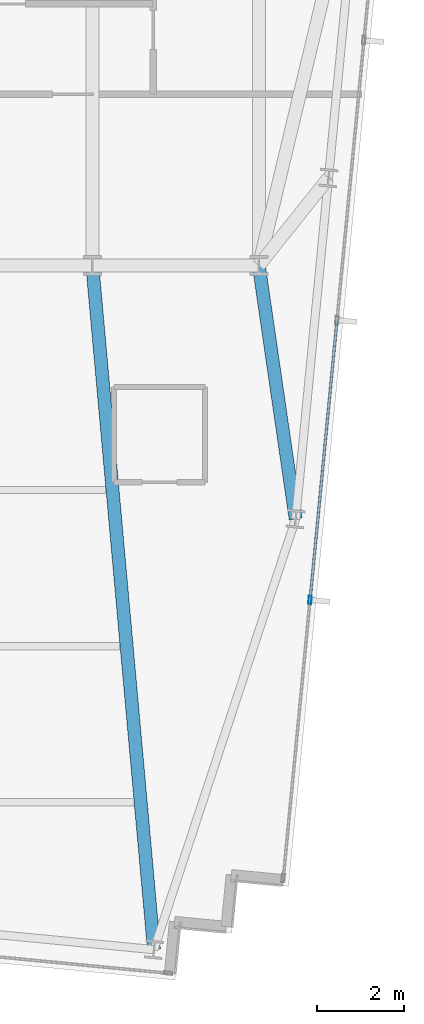
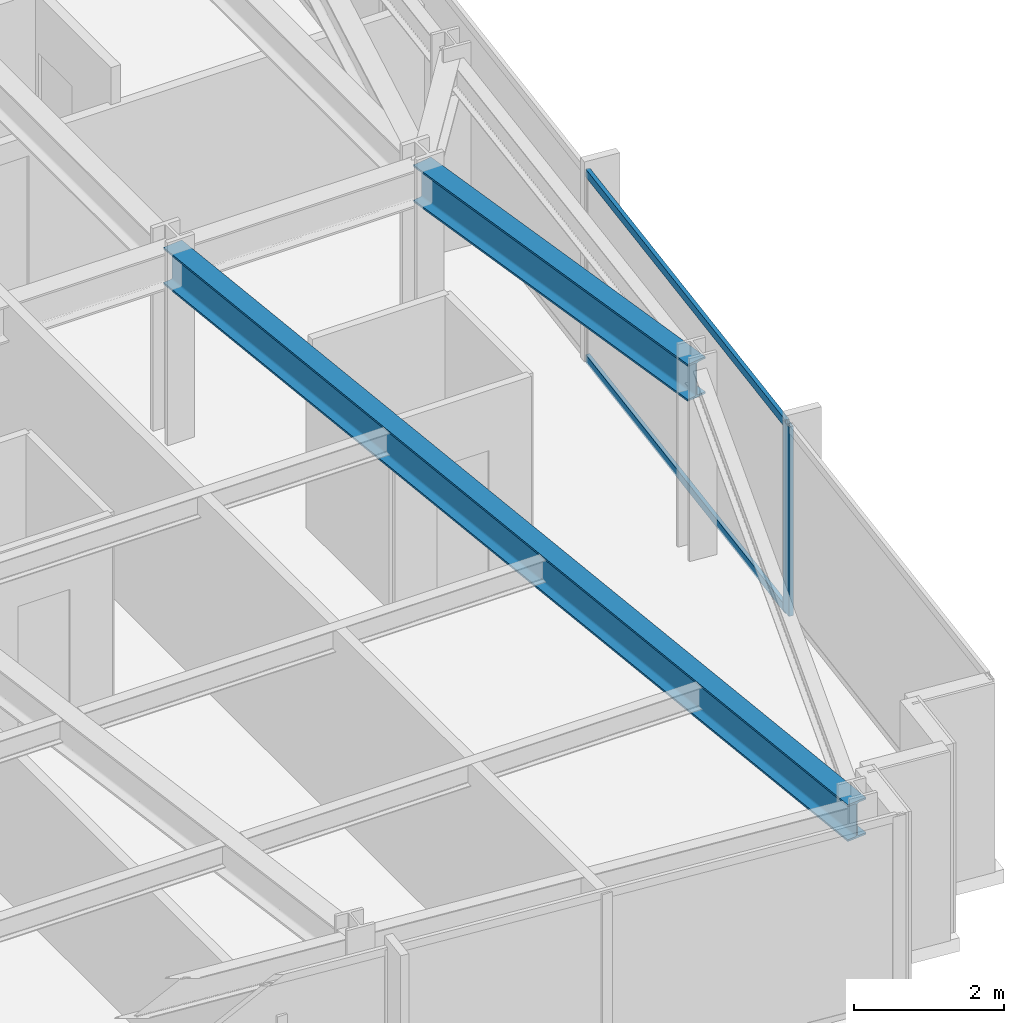
# One storey, part 15 of 38: 3 members, 2 beams, 1 element without a shape of its own.
"""IFC4 building model written with IfcOpenShell, lengths in metres."""

from ifc_helpers import new_model, si_unit, direction, frame, origin, origin_2d, place, context, subcontext, project, spatial, hollow_rectangle, i_section, extrude, material, material_profile, profile_set, type_object, element, aggregate, save


model = new_model("IFC4")

# Units and contexts
model_context = context("Model", 3, precision=1e-05, world=origin(), true_north=direction((0.0, 1.0)))
body_context = subcontext(model_context, "Body", "Model", "MODEL_VIEW")
ifc_project = project(units=[si_unit("LENGTHUNIT", "METRE"), si_unit("AREAUNIT", "SQUARE_METRE"), si_unit("VOLUMEUNIT", "CUBIC_METRE"), si_unit("PLANEANGLEUNIT", "RADIAN"), si_unit("MASSUNIT", "GRAM", prefix="KILO")], contexts=[model_context])

# Site, building, storey
site_placement = place(None, origin())
site = spatial("IfcSite", under=ifc_project, at=site_placement, CompositionType="ELEMENT")
building_placement = place(site_placement, origin())
building = spatial("IfcBuilding", under=site, at=building_placement, Name="Yelkora Congress Tower", CompositionType="ELEMENT")
storey_placement = place(building_placement, frame((0.0, 0.0, 178.699951171875)))
storey = spatial("IfcBuildingStorey", under=building, at=storey_placement, Name="L49", CompositionType="ELEMENT", Elevation=178.699951171875)

# Beams
ifc_material_1 = material(Name="Steel S355J2", Category="steel")
ifc_material_profile_1 = material_profile(ifc_material_1, i_section(OverallWidth=0.300048828125, OverallDepth=0.60009765625, WebThickness=0.015380859375, FlangeThickness=0.030029296875, FilletRadius=0.027099609375, at=origin_2d()), Name="HEB 600")
ifc_profile_set_1 = profile_set([ifc_material_profile_1], Name="Steel S355J2")
beam_type = type_object("IfcBeamType", Name="BM-GIRD-HEB600", PredefinedType="BEAM", material=ifc_profile_set_1)
beam_1_placement = place(storey_placement, frame((55.18212890625, 9.421142578125, 2.780029296875), z_axis=(-0.089764575953, 0.995963011815, 0.0), x_axis=(-0.995963011815, -0.089764575953, 0.0)))
element("IfcBeam", 1, at=beam_1_placement, inside=storey, type_object=beam_type, Name="L49 Primary Frame Girder S08", PredefinedType="BEAM", context=body_context, shape_type="SweptSolid", body=[
    extrude(i_section(OverallWidth=0.300048828125, OverallDepth=0.60009765625, WebThickness=0.015380859375, FlangeThickness=0.030029296875, FilletRadius=0.027099609375, at=origin_2d()), origin(), (0.0, 0.0, 1.0), 15.8427734375),
])
beam_2_placement = place(storey_placement, frame((58.44921875, 19.353759765625, 2.780029296875), z_axis=(-0.143735281382, 0.989616172506, 0.0), x_axis=(-0.989616172506, -0.143735281382, 0.0)))
element("IfcBeam", 2, at=beam_2_placement, inside=storey, type_object=beam_type, Name="L49 Primary Frame Girder E01", PredefinedType="BEAM", context=body_context, shape_type="SweptSolid", body=[
    extrude(i_section(OverallWidth=0.300048828125, OverallDepth=0.60009765625, WebThickness=0.015380859375, FlangeThickness=0.030029296875, FilletRadius=0.027099609375, at=origin_2d()), origin(), (0.0, 0.0, 1.0), 5.907470703125),
])

# Curtain wall, members
ifc_material_2 = material(Name="Anodised aluminium and insulated glass", Category="aluminium")
curtain_wall_type = type_object("IfcCurtainWallType", Name="CW-SYS-B3", PredefinedType="NOTDEFINED", material=ifc_material_2)
curtain_wall_placement = place(storey_placement, origin())
curtain_wall = element("IfcCurtainWall", 3, at=curtain_wall_placement, inside=storey, type_object=curtain_wall_type, Name="L49 Unitised Curtain Wall 15", PredefinedType="NOTDEFINED")
ifc_material_3 = material(Name="Anodised aluminium 6063-T6", Category="aluminium")
ifc_material_profile_2 = material_profile(ifc_material_3, hollow_rectangle(XDim=0.070068359375, YDim=0.18994140625, WallThickness=0.00390625, at=origin_2d()), Name="ALU 70x190x4")
ifc_profile_set_2 = profile_set([ifc_material_profile_2], Name="Anodised aluminium 6063-T6")
member_type_1 = type_object("IfcMemberType", Name="MEM-ML-B3", PredefinedType="MULLION", material=ifc_profile_set_2)
member_1_placement = place(storey_placement, frame((58.78173828125, 17.4873046875, 0.0), z_axis=(0.0, 0.0, 1.0), x_axis=(0.995396565076, -0.095841944023, 0.0)))
member_1 = element("IfcMember", 4, at=member_1_placement, type_object=member_type_1, Name="CW-B3 mullion 5", PredefinedType="MULLION", context=body_context, shape_type="SweptSolid", body=[
    extrude(hollow_rectangle(XDim=0.070068359375, YDim=0.18994140625, WallThickness=0.00390625, at=origin_2d()), origin(), (0.0, 0.0, 1.0), 3.080078125),
])
ifc_material_profile_3 = material_profile(ifc_material_3, hollow_rectangle(XDim=0.06005859375, YDim=0.1298828125, WallThickness=0.00390625, at=origin_2d()), Name="ALU 60x130x4")
ifc_profile_set_3 = profile_set([ifc_material_profile_3], Name="Anodised aluminium 6063-T6")
member_type_2 = type_object("IfcMemberType", Name="MEM-TR-B3", PredefinedType="USERDEFINED", material=ifc_profile_set_3)
member_2_placement = place(storey_placement, frame((59.39990234375, 23.90673828125, 0.030029296875), z_axis=(-0.095843682057, -0.995396397728, 0.0), x_axis=(0.995396397728, -0.095843682057, 0.0)))
member_2 = element("IfcMember", 5, at=member_2_placement, type_object=member_type_2, Name="CW-B3 transom 4.1", ObjectType="TRANSOM", PredefinedType="USERDEFINED", context=body_context, shape_type="SweptSolid", body=[
    extrude(hollow_rectangle(XDim=0.06005859375, YDim=0.1298828125, WallThickness=0.00390625, at=origin_2d()), origin(), (0.0, 0.0, 1.0), 6.4140625),
])
member_3_placement = place(storey_placement, frame((59.39990234375, 23.90673828125, 3.050048828125), z_axis=(-0.095843682057, -0.995396397728, 0.0), x_axis=(0.995396397728, -0.095843682057, 0.0)))
member_3 = element("IfcMember", 6, at=member_3_placement, type_object=member_type_2, Name="CW-B3 transom 4.2", ObjectType="TRANSOM", PredefinedType="USERDEFINED", context=body_context, shape_type="SweptSolid", body=[
    extrude(hollow_rectangle(XDim=0.06005859375, YDim=0.1298828125, WallThickness=0.00390625, at=origin_2d()), origin(), (0.0, 0.0, 1.0), 6.4140625),
])
aggregate(curtain_wall, [member_1, member_2, member_3])

save(model, "model.ifc")
